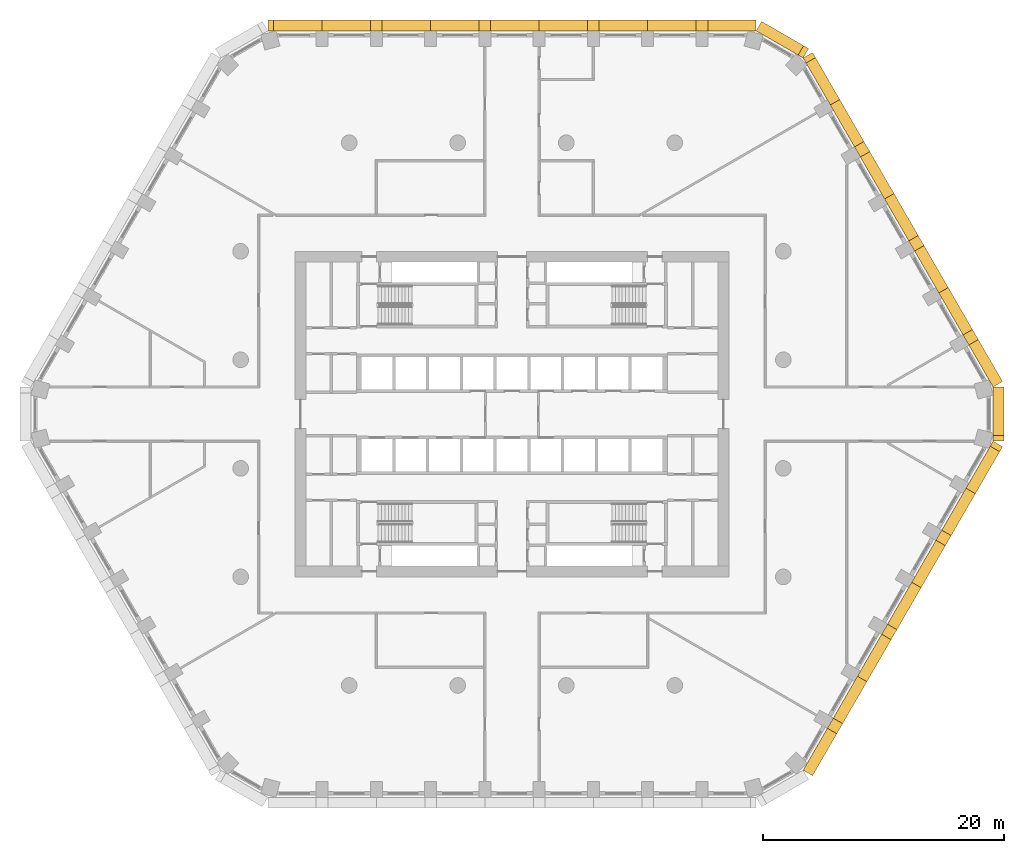
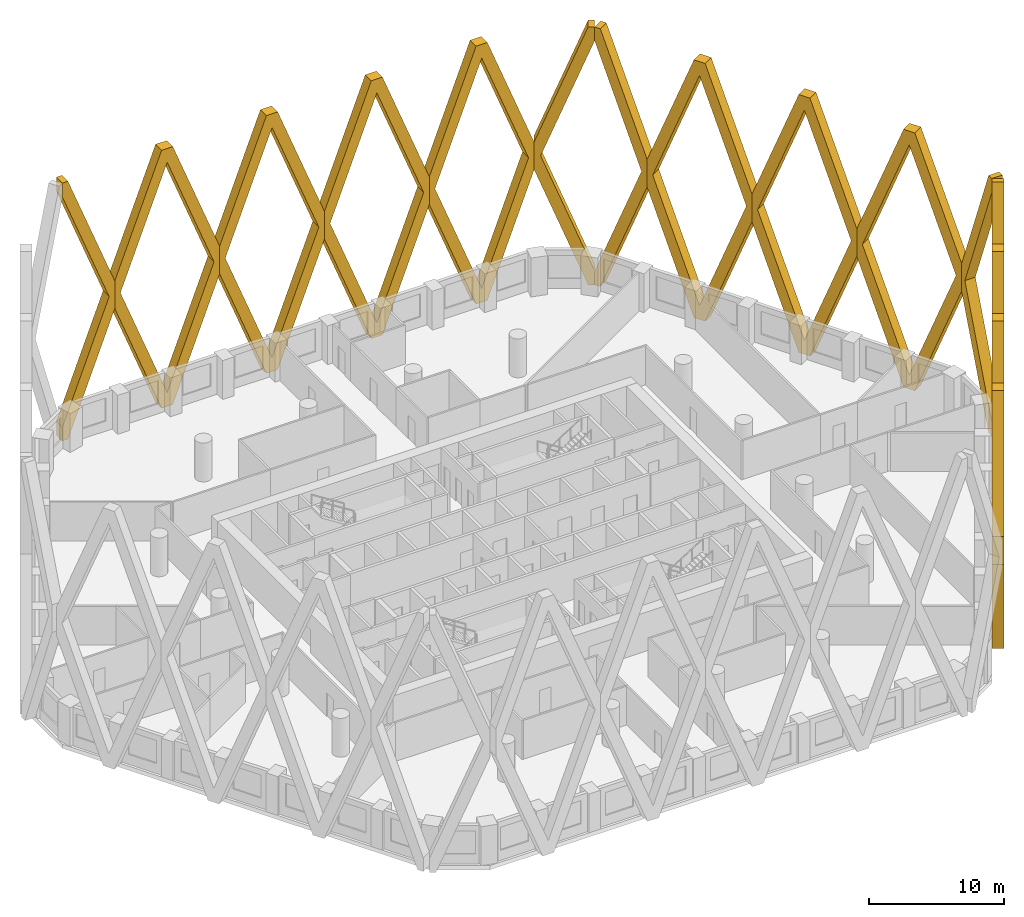
# One storey, part 18 of 18: 15 coverings.
"""IFC4 building model written with IfcOpenShell, lengths in metres."""

from ifc_helpers import new_model, si_unit, direction, frame, origin, place, context, subcontext, project, spatial, polyline, outline, extrude, material, type_object, element, save


model = new_model("IFC4")

# Units and contexts
model_context = context("Model", 3, precision=1e-05, world=origin(), true_north=direction((0.0, 1.0)))
body_context = subcontext(model_context, "Body", "Model", "MODEL_VIEW")
ifc_project = project(units=[si_unit("LENGTHUNIT", "METRE"), si_unit("AREAUNIT", "SQUARE_METRE"), si_unit("VOLUMEUNIT", "CUBIC_METRE"), si_unit("PLANEANGLEUNIT", "RADIAN"), si_unit("MASSUNIT", "GRAM", prefix="KILO")], contexts=[model_context])

# Site, building, storey
site_placement = place(None, origin())
site = spatial("IfcSite", under=ifc_project, at=site_placement, CompositionType="ELEMENT")
building_placement = place(site_placement, origin())
building = spatial("IfcBuilding", under=site, at=building_placement, Name="Dhurran Vertical Campus", CompositionType="ELEMENT")
storey_placement = place(building_placement, frame((0.0, 0.0, 104.699951171875)))
storey = spatial("IfcBuildingStorey", under=building, at=storey_placement, Name="L25", CompositionType="ELEMENT", Elevation=104.699951171875)

# Coverings
ifc_material = material(Name="Precast concrete C50/60", Category="concrete")
covering_type = type_object("IfcCoveringType", Name="Folded precast fin lattice diamond", PredefinedType="USERDEFINED", material=ifc_material)
for number, where, z_axis, x_axis, name in (
    (1, (24.147216796875, -29.52978515625, 0.0), (0.866013897511, -0.50001992892, 0.0), (0.50001992892, 0.866013897511, 0.0), "FN1 L25.007"),
    (2, (28.647216796875, -21.735595703125, 0.0), (0.866013897511, -0.50001992892, 0.0), (0.50001992892, 0.866013897511, 0.0), "FN1 L25.008"),
    (3, (33.147216796875, -13.94140625, 0.0), (0.866013897511, -0.50001992892, 0.0), (0.50001992892, 0.866013897511, 0.0), "FN1 L25.009"),
):
    element("IfcCovering", number, at=place(storey_placement, frame(where, z_axis=z_axis, x_axis=x_axis)), inside=storey, type_object=covering_type, Name=name, ObjectType="FIN", PredefinedType="USERDEFINED", context=body_context, shape_type="SweptSolid", body=[
        extrude(outline(polyline([(9.0, 12.95361328125), (9.0, 10.4462890625), (4.982177734375, 0.0), (4.017822265625, 0.0), (0.0, 10.4462890625), (0.0, 12.95361328125), (4.017822265625, 23.39990234375), (4.982177734375, 23.39990234375), (9.0, 12.95361328125)]), holes=[polyline([(8.517822265625, 11.699951171875), (4.5, 22.146484375), (0.482177734375, 11.699951171875), (4.5, 1.253662109375), (8.517822265625, 11.699951171875)])]), origin(), (0.0, 0.0, 1.0), 0.89990234375),
    ])
covering_1_placement = place(storey_placement, frame((37.647216796875, -6.147216796875, 0.0), z_axis=(0.866013897511, -0.50001992892, 0.0), x_axis=(0.50001992892, 0.866013897511, 0.0)))
element("IfcCovering", 4, at=covering_1_placement, inside=storey, type_object=covering_type, Name="FN1 L25.010", ObjectType="FIN", PredefinedType="USERDEFINED", context=body_context, shape_type="SweptSolid", body=[
    extrude(outline(polyline([(4.017822265625, 0.0), (0.0, 10.4462890625), (0.0, 12.95361328125), (4.017822265625, 23.39990234375), (4.5, 23.39990234375), (4.5, 22.146484375), (0.482177734375, 11.699951171875), (4.5, 1.253662109375), (4.5, 0.0), (4.017822265625, 0.0)])), origin(), (0.0, 0.0, 1.0), 0.89990234375),
])
covering_2_placement = place(storey_placement, frame((39.897216796875, -2.25, 0.0), z_axis=(1.0, 0.0, 0.0), x_axis=(0.0, 1.0, 0.0)))
element("IfcCovering", 5, at=covering_2_placement, inside=storey, type_object=covering_type, Name="FN1 L25.011", ObjectType="FIN", PredefinedType="USERDEFINED", context=body_context, shape_type="SweptSolid", body=[
    extrude(outline(polyline([(4.5, 10.4462890625), (0.482177734375, 0.0), (0.0, 0.0), (0.0, 1.253662109375), (4.017822265625, 11.699951171875), (0.0, 22.146484375), (0.0, 23.39990234375), (0.482177734375, 23.39990234375), (4.5, 12.95361328125), (4.5, 10.4462890625)])), origin(), (0.0, 0.0, 1.0), 0.89990234375),
])
for number, where, z_axis, x_axis, name in (
    (6, (39.897216796875, 2.25, 0.0), (0.866013897511, 0.50001992892, 0.0), (-0.50001992892, 0.866013897511, 0.0), "FN1 L25.012"),
    (7, (35.397216796875, 10.044189453125, 0.0), (0.866013897511, 0.50001992892, 0.0), (-0.50001992892, 0.866013897511, 0.0), "FN1 L25.013"),
    (8, (30.897216796875, 17.83837890625, 0.0), (0.865896406789, 0.500223362819, 0.0), (-0.500223362819, 0.865896406789, 0.0), "FN1 L25.014"),
):
    element("IfcCovering", number, at=place(storey_placement, frame(where, z_axis=z_axis, x_axis=x_axis)), inside=storey, type_object=covering_type, Name=name, ObjectType="FIN", PredefinedType="USERDEFINED", context=body_context, shape_type="SweptSolid", body=[
        extrude(outline(polyline([(9.0, 12.95361328125), (9.0, 10.4462890625), (4.982177734375, 0.0), (4.017822265625, 0.0), (0.0, 10.4462890625), (0.0, 12.95361328125), (4.017822265625, 23.39990234375), (4.982177734375, 23.39990234375), (9.0, 12.95361328125)]), holes=[polyline([(8.517822265625, 11.699951171875), (4.5, 22.146484375), (0.482177734375, 11.699951171875), (4.5, 1.253662109375), (8.517822265625, 11.699951171875)])]), origin(), (0.0, 0.0, 1.0), 0.89990234375),
    ])
covering_3_placement = place(storey_placement, frame((26.397216796875, 25.6328125, 0.0), z_axis=(0.866013897511, 0.50001992892, 0.0), x_axis=(-0.50001992892, 0.866013897511, 0.0)))
element("IfcCovering", 9, at=covering_3_placement, inside=storey, type_object=covering_type, Name="FN1 L25.015", ObjectType="FIN", PredefinedType="USERDEFINED", context=body_context, shape_type="SweptSolid", body=[
    extrude(outline(polyline([(4.017822265625, 0.0), (0.0, 10.4462890625), (0.0, 12.95361328125), (4.017822265625, 23.39990234375), (4.5, 23.39990234375), (4.5, 22.146484375), (0.482177734375, 11.699951171875), (4.5, 1.253662109375), (4.5, 0.0), (4.017822265625, 0.0)])), origin(), (0.0, 0.0, 1.0), 0.89990234375),
])
covering_4_placement = place(storey_placement, frame((24.147216796875, 29.52978515625, 0.0), z_axis=(0.50001992892, 0.866013897511, 0.0), x_axis=(-0.866013897511, 0.50001992892, 0.0)))
element("IfcCovering", 10, at=covering_4_placement, inside=storey, type_object=covering_type, Name="FN1 L25.016", ObjectType="FIN", PredefinedType="USERDEFINED", context=body_context, shape_type="SweptSolid", body=[
    extrude(outline(polyline([(4.5, 10.4462890625), (0.482177734375, 0.0), (0.0, 0.0), (0.0, 1.253662109375), (4.017822265625, 11.699951171875), (0.0, 22.146484375), (0.0, 23.39990234375), (0.482177734375, 23.39990234375), (4.5, 12.95361328125), (4.5, 10.4462890625)])), origin(), (0.0, 0.0, 1.0), 0.89990234375),
])
for number, where, z_axis, x_axis, name in (
    (11, (20.25, 31.77978515625, 0.0), (0.0, 1.0, 0.0), (-1.0, 0.0, 0.0), "FN1 L25.017"),
    (12, (11.25, 31.77978515625, 0.0), (0.0, 1.0, 0.0), (-1.0, 0.0, 0.0), "FN1 L25.018"),
    (13, (2.25, 31.77978515625, 0.0), (0.0, 1.0, 0.0), (-1.0, 0.0, 0.0), "FN1 L25.019"),
    (14, (-6.75, 31.77978515625, 0.0), (0.0, 1.0, 0.0), (-1.0, 0.0, 0.0), "FN1 L25.020"),
):
    element("IfcCovering", number, at=place(storey_placement, frame(where, z_axis=z_axis, x_axis=x_axis)), inside=storey, type_object=covering_type, Name=name, ObjectType="FIN", PredefinedType="USERDEFINED", context=body_context, shape_type="SweptSolid", body=[
        extrude(outline(polyline([(9.0, 12.95361328125), (9.0, 10.4462890625), (4.982177734375, 0.0), (4.017822265625, 0.0), (0.0, 10.4462890625), (0.0, 12.95361328125), (4.017822265625, 23.39990234375), (4.982177734375, 23.39990234375), (9.0, 12.95361328125)]), holes=[polyline([(8.517822265625, 11.699951171875), (4.5, 22.146484375), (0.482177734375, 11.699951171875), (4.5, 1.253662109375), (8.517822265625, 11.699951171875)])]), origin(), (0.0, 0.0, 1.0), 0.89990234375),
    ])
covering_5_placement = place(storey_placement, frame((-15.75, 31.77978515625, 0.0), z_axis=(0.0, 1.0, 0.0), x_axis=(-1.0, 0.0, 0.0)))
element("IfcCovering", 15, at=covering_5_placement, inside=storey, type_object=covering_type, Name="FN1 L25.021", ObjectType="FIN", PredefinedType="USERDEFINED", context=body_context, shape_type="SweptSolid", body=[
    extrude(outline(polyline([(4.017822265625, 0.0), (0.0, 10.4462890625), (0.0, 12.95361328125), (4.017822265625, 23.39990234375), (4.5, 23.39990234375), (4.5, 22.146484375), (0.482177734375, 11.699951171875), (4.5, 1.253662109375), (4.5, 0.0), (4.017822265625, 0.0)])), origin(), (0.0, 0.0, 1.0), 0.89990234375),
])

save(model, "model.ifc")
